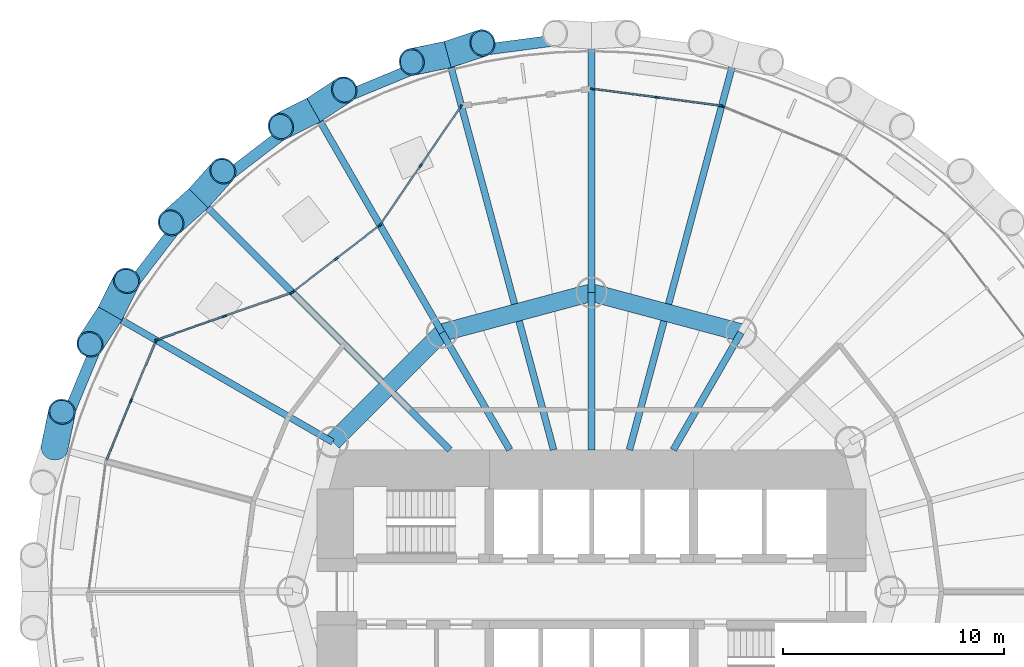
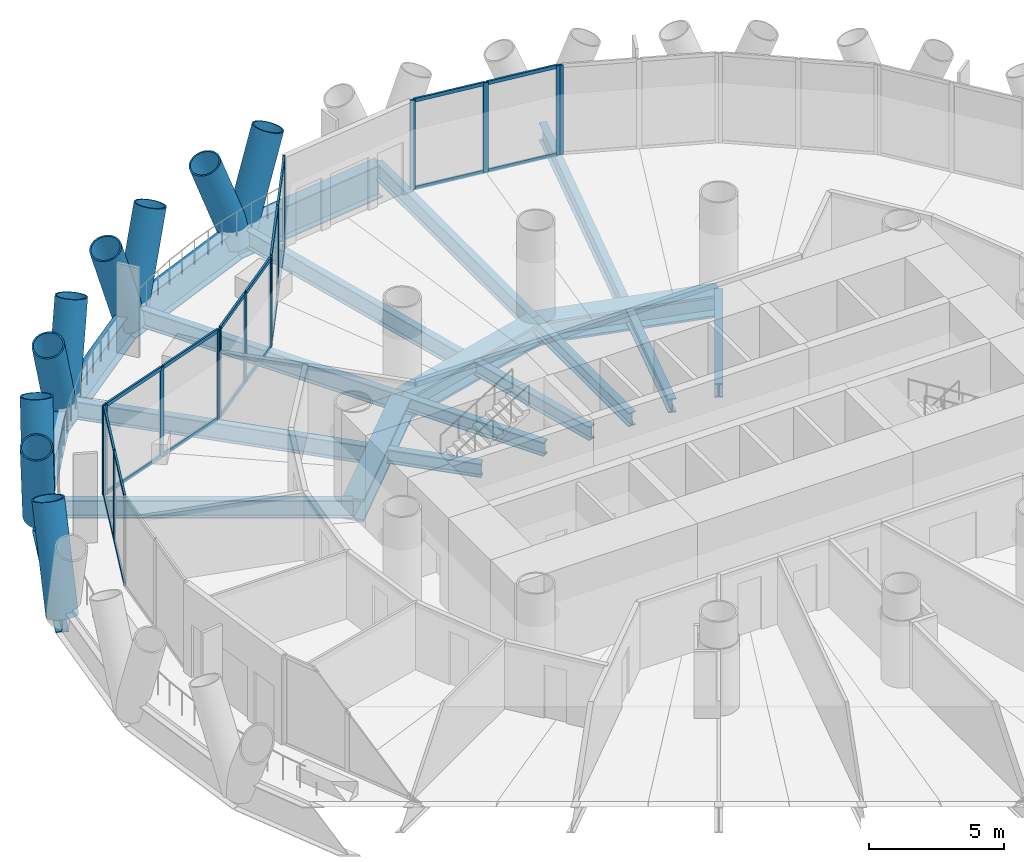
# One storey, part 5 of 14: 44 members, 20 beams, 6 elements without a shape of their own.
"""IFC4 building model written with IfcOpenShell, lengths in metres."""

from ifc_helpers import new_model, si_unit, direction, frame, origin, origin_2d, place, context, subcontext, project, spatial, rectangle, hollow_circle, i_section, extrude, material, material_profile, profile_set, type_object, element, aggregate, save


model = new_model("IFC4")

# Units and contexts
model_context = context("Model", 3, precision=1e-05, world=origin(), true_north=direction((0.0, 1.0)))
body_context = subcontext(model_context, "Body", "Model", "MODEL_VIEW")
ifc_project = project(units=[si_unit("LENGTHUNIT", "METRE"), si_unit("AREAUNIT", "SQUARE_METRE"), si_unit("VOLUMEUNIT", "CUBIC_METRE"), si_unit("PLANEANGLEUNIT", "RADIAN"), si_unit("MASSUNIT", "GRAM", prefix="KILO")], contexts=[model_context])

# Site, building, storey
site_placement = place(None, origin())
site = spatial("IfcSite", under=ifc_project, at=site_placement, CompositionType="ELEMENT")
building_placement = place(site_placement, origin())
building = spatial("IfcBuilding", under=site, at=building_placement, Name="Qaws Media Tower", CompositionType="ELEMENT")
storey_placement = place(building_placement, frame((0.0, 0.0, 59.60009765625)))
storey = spatial("IfcBuildingStorey", under=building, at=storey_placement, Name="L12", CompositionType="ELEMENT", Elevation=59.60009765625)

# Curtain wall, member
ifc_material_1 = material(Name="Aluminium and clear glass", Category="aluminium")
curtain_wall_type_1 = type_object("IfcCurtainWallType", Name="Unitised curtain wall CW-A", PredefinedType="NOTDEFINED", material=ifc_material_1)
curtain_wall_1_placement = place(storey_placement, origin())
curtain_wall_1 = element("IfcCurtainWall", 1, at=curtain_wall_1_placement, inside=storey, type_object=curtain_wall_type_1, Name="CWA curtain wall L12-05", PredefinedType="NOTDEFINED")
ifc_material_2 = material(Name="Aluminium mullion", Category="aluminium")
ifc_material_profile_1 = material_profile(ifc_material_2, rectangle(XDim=0.080078125, YDim=0.199951171875, at=origin_2d()), Name="80x200")
ifc_profile_set_1 = profile_set([ifc_material_profile_1], Name="Aluminium mullion")
member_type_1 = type_object("IfcMemberType", Name="Curtain wall mullion 80x200", PredefinedType="MULLION", material=ifc_profile_set_1)
member_1_placement = place(storey_placement, frame((65.912109375, 71.9111328125, 0.0), z_axis=(0.0, 0.0, 1.0), x_axis=(-0.382683327941, -0.923879575765, 0.0)))
member_1 = element("IfcMember", 2, at=member_1_placement, type_object=member_type_1, Name="CWA mullion 3", PredefinedType="MULLION", context=body_context, shape_type="SweptSolid", body=[
    extrude(rectangle(XDim=0.080078125, YDim=0.199951171875, at=origin_2d()), origin(), (0.0, 0.0, 1.0), 4.039794921875),
])
aggregate(curtain_wall_1, [member_1])

# Curtain wall, members
curtain_wall_2_placement = place(storey_placement, origin())
curtain_wall_2 = element("IfcCurtainWall", 3, at=curtain_wall_2_placement, inside=storey, type_object=curtain_wall_type_1, Name="CWA curtain wall L12-06", PredefinedType="NOTDEFINED")
member_2_placement = place(storey_placement, frame((65.83544921875, 71.931640625, 0.0), z_axis=(0.0, 0.0, 1.0), x_axis=(-0.130526241882, -0.991444854836, 0.0)))
member_2 = element("IfcMember", 4, at=member_2_placement, type_object=member_type_1, Name="CWA mullion 1", PredefinedType="MULLION", context=body_context, shape_type="SweptSolid", body=[
    extrude(rectangle(XDim=0.080078125, YDim=0.199951171875, at=origin_2d()), origin(), (0.0, 0.0, 1.0), 4.039794921875),
])
member_3_placement = place(storey_placement, frame((62.9375, 72.313232421875, 0.0), z_axis=(0.0, 0.0, 1.0), x_axis=(-0.130526241882, -0.991444854836, 0.0)))
member_3 = element("IfcMember", 5, at=member_3_placement, type_object=member_type_1, Name="CWA mullion 2", PredefinedType="MULLION", context=body_context, shape_type="SweptSolid", body=[
    extrude(rectangle(XDim=0.080078125, YDim=0.199951171875, at=origin_2d()), origin(), (0.0, 0.0, 1.0), 4.039794921875),
])
member_4_placement = place(storey_placement, frame((60.03955078125, 72.69482421875, 0.0), z_axis=(0.0, 0.0, 1.0), x_axis=(-0.130526241882, -0.991444854836, 0.0)))
member_4 = element("IfcMember", 6, at=member_4_placement, type_object=member_type_1, Name="CWA mullion 3", PredefinedType="MULLION", context=body_context, shape_type="SweptSolid", body=[
    extrude(rectangle(XDim=0.080078125, YDim=0.199951171875, at=origin_2d()), origin(), (0.0, 0.0, 1.0), 4.039794921875),
])

ifc_material_3 = material(Name="Aluminium and clear glass", Category="aluminium")
curtain_wall_type_2 = type_object("IfcCurtainWallType", Name="Loggia curtain wall CW-G", PredefinedType="NOTDEFINED", material=ifc_material_3)
curtain_wall_3_placement = place(storey_placement, origin())
curtain_wall_3 = element("IfcCurtainWall", 7, at=curtain_wall_3_placement, inside=storey, type_object=curtain_wall_type_2, Name="CWG curtain wall L12-08", PredefinedType="NOTDEFINED")
member_5_placement = place(storey_placement, frame((54.102294921875, 71.8935546875, 0.0), z_axis=(0.0, 0.0, 1.0), x_axis=(0.826018597075, -0.563642863244, 0.0)))
member_5 = element("IfcMember", 8, at=member_5_placement, type_object=member_type_1, Name="CWG mullion 1", PredefinedType="MULLION", context=body_context, shape_type="SweptSolid", body=[
    extrude(rectangle(XDim=0.080078125, YDim=0.199951171875, at=origin_2d()), origin(), (0.0, 0.0, 1.0), 4.039794921875),
])
member_6_placement = place(storey_placement, frame((52.287353515625, 69.23388671875, 0.0), z_axis=(0.0, 0.0, 1.0), x_axis=(0.826018597075, -0.563642863244, 0.0)))
member_6 = element("IfcMember", 9, at=member_6_placement, type_object=member_type_1, Name="CWG mullion 2", PredefinedType="MULLION", context=body_context, shape_type="SweptSolid", body=[
    extrude(rectangle(XDim=0.080078125, YDim=0.199951171875, at=origin_2d()), origin(), (0.0, 0.0, 1.0), 4.039794921875),
])
member_7_placement = place(storey_placement, frame((50.47265625, 66.57421875, 0.0), z_axis=(0.0, 0.0, 1.0), x_axis=(0.826018597075, -0.563642863244, 0.0)))
member_7 = element("IfcMember", 10, at=member_7_placement, type_object=member_type_1, Name="CWG mullion 3", PredefinedType="MULLION", context=body_context, shape_type="SweptSolid", body=[
    extrude(rectangle(XDim=0.080078125, YDim=0.199951171875, at=origin_2d()), origin(), (0.0, 0.0, 1.0), 4.039794921875),
])

curtain_wall_4_placement = place(storey_placement, origin())
curtain_wall_4 = element("IfcCurtainWall", 11, at=curtain_wall_4_placement, inside=storey, type_object=curtain_wall_type_2, Name="CWG curtain wall L12-09", PredefinedType="NOTDEFINED")
member_8_placement = place(storey_placement, frame((50.418212890625, 66.516845703125, 0.0), z_axis=(0.0, 0.0, 1.0), x_axis=(0.608761295278, -0.793353442906, 0.0)))
member_8 = element("IfcMember", 12, at=member_8_placement, type_object=member_type_1, Name="CWG mullion 1", PredefinedType="MULLION", context=body_context, shape_type="SweptSolid", body=[
    extrude(rectangle(XDim=0.080078125, YDim=0.199951171875, at=origin_2d()), origin(), (0.0, 0.0, 1.0), 4.039794921875),
])
member_9_placement = place(storey_placement, frame((48.47216796875, 65.0234375, 0.0), z_axis=(0.0, 0.0, 1.0), x_axis=(0.608761295278, -0.793353442906, 0.0)))
member_9 = element("IfcMember", 13, at=member_9_placement, type_object=member_type_1, Name="CWG mullion 2", PredefinedType="MULLION", context=body_context, shape_type="SweptSolid", body=[
    extrude(rectangle(XDim=0.080078125, YDim=0.199951171875, at=origin_2d()), origin(), (0.0, 0.0, 1.0), 4.039794921875),
])
member_10_placement = place(storey_placement, frame((46.52587890625, 63.530029296875, 0.0), z_axis=(0.0, 0.0, 1.0), x_axis=(0.608761295278, -0.793353442906, 0.0)))
member_10 = element("IfcMember", 14, at=member_10_placement, type_object=member_type_1, Name="CWG mullion 3", PredefinedType="MULLION", context=body_context, shape_type="SweptSolid", body=[
    extrude(rectangle(XDim=0.080078125, YDim=0.199951171875, at=origin_2d()), origin(), (0.0, 0.0, 1.0), 4.039794921875),
])

curtain_wall_5_placement = place(storey_placement, origin())
curtain_wall_5 = element("IfcCurtainWall", 15, at=curtain_wall_5_placement, inside=storey, type_object=curtain_wall_type_2, Name="CWG curtain wall L12-10", PredefinedType="NOTDEFINED")
member_11_placement = place(storey_placement, frame((46.45654296875, 63.492431640625, 0.0), z_axis=(0.0, 0.0, 1.0), x_axis=(0.330647883973, -0.94375419301, 0.0)))
member_11 = element("IfcMember", 16, at=member_11_placement, type_object=member_type_1, Name="CWG mullion 1", PredefinedType="MULLION", context=body_context, shape_type="SweptSolid", body=[
    extrude(rectangle(XDim=0.080078125, YDim=0.199951171875, at=origin_2d()), origin(), (0.0, 0.0, 1.0), 4.039794921875),
])
member_12_placement = place(storey_placement, frame((43.417724609375, 62.427978515625, 0.0), z_axis=(0.0, 0.0, 1.0), x_axis=(0.330647883973, -0.94375419301, 0.0)))
member_12 = element("IfcMember", 17, at=member_12_placement, type_object=member_type_1, Name="CWG mullion 2", PredefinedType="MULLION", context=body_context, shape_type="SweptSolid", body=[
    extrude(rectangle(XDim=0.080078125, YDim=0.199951171875, at=origin_2d()), origin(), (0.0, 0.0, 1.0), 4.039794921875),
])
member_13_placement = place(storey_placement, frame((40.37890625, 61.36328125, 0.0), z_axis=(0.0, 0.0, 1.0), x_axis=(0.330647883973, -0.94375419301, 0.0)))
member_13 = element("IfcMember", 18, at=member_13_placement, type_object=member_type_1, Name="CWG mullion 3", PredefinedType="MULLION", context=body_context, shape_type="SweptSolid", body=[
    extrude(rectangle(XDim=0.080078125, YDim=0.199951171875, at=origin_2d()), origin(), (0.0, 0.0, 1.0), 4.039794921875),
])

curtain_wall_6_placement = place(storey_placement, origin())
curtain_wall_6 = element("IfcCurtainWall", 19, at=curtain_wall_6_placement, inside=storey, type_object=curtain_wall_type_1, Name="CWA curtain wall L12-11", PredefinedType="NOTDEFINED")
member_14_placement = place(storey_placement, frame((40.325927734375, 61.31298828125, 0.0), z_axis=(0.0, 0.0, 1.0), x_axis=(0.923879575765, -0.382683327941, 0.0)))
member_14 = element("IfcMember", 20, at=member_14_placement, type_object=member_type_1, Name="CWA mullion 1", PredefinedType="MULLION", context=body_context, shape_type="SweptSolid", body=[
    extrude(rectangle(XDim=0.080078125, YDim=0.199951171875, at=origin_2d()), origin(), (0.0, 0.0, 1.0), 4.039794921875),
])
member_15_placement = place(storey_placement, frame((39.207275390625, 58.612548828125, 0.0), z_axis=(0.0, 0.0, 1.0), x_axis=(0.923879575765, -0.382683327941, 0.0)))
member_15 = element("IfcMember", 21, at=member_15_placement, type_object=member_type_1, Name="CWA mullion 2", PredefinedType="MULLION", context=body_context, shape_type="SweptSolid", body=[
    extrude(rectangle(XDim=0.080078125, YDim=0.199951171875, at=origin_2d()), origin(), (0.0, 0.0, 1.0), 4.039794921875),
])

# Member
ifc_material_4 = material(Name="Aluminium transom", Category="aluminium")
ifc_material_profile_2 = material_profile(ifc_material_4, rectangle(XDim=0.080078125, YDim=0.159912109375, at=origin_2d()), Name="80x160")
ifc_profile_set_2 = profile_set([ifc_material_profile_2], Name="Aluminium transom")
member_type_2 = type_object("IfcMemberType", Name="Curtain wall transom 80x160", PredefinedType="USERDEFINED", material=ifc_profile_set_2)
member_16_placement = place(storey_placement, frame((65.7958984375, 71.93701171875, 0.039794921875), z_axis=(-0.991444062143, 0.130532262837, 0.0), x_axis=(-0.130532262837, -0.991444062143, 0.0)))
member_16 = element("IfcMember", 22, at=member_16_placement, type_object=member_type_2, Name="CWA transom 1.1", ObjectType="TRANSOM", PredefinedType="USERDEFINED", context=body_context, shape_type="SweptSolid", body=[
    extrude(rectangle(XDim=0.080078125, YDim=0.159912109375, at=origin_2d()), origin(), (0.0, 0.0, 1.0), 2.843017578125),
])

member_17_placement = place(storey_placement, frame((65.7958984375, 71.93701171875, 4.0), z_axis=(-0.991444062143, 0.130532262837, 0.0), x_axis=(-0.130532262837, -0.991444062143, 0.0)))
member_17 = element("IfcMember", 23, at=member_17_placement, type_object=member_type_2, Name="CWA transom 1.2", ObjectType="TRANSOM", PredefinedType="USERDEFINED", context=body_context, shape_type="SweptSolid", body=[
    extrude(rectangle(XDim=0.080078125, YDim=0.159912109375, at=origin_2d()), origin(), (0.0, 0.0, 1.0), 2.843017578125),
])

member_18_placement = place(storey_placement, frame((62.89794921875, 72.318359375, 0.039794921875), z_axis=(-0.991444062143, 0.130532262837, 0.0), x_axis=(-0.130532262837, -0.991444062143, 0.0)))
member_18 = element("IfcMember", 24, at=member_18_placement, type_object=member_type_2, Name="CWA transom 2.1", ObjectType="TRANSOM", PredefinedType="USERDEFINED", context=body_context, shape_type="SweptSolid", body=[
    extrude(rectangle(XDim=0.080078125, YDim=0.159912109375, at=origin_2d()), origin(), (0.0, 0.0, 1.0), 2.843017578125),
])

member_19_placement = place(storey_placement, frame((62.89794921875, 72.318359375, 4.0), z_axis=(-0.991444062143, 0.130532262837, 0.0), x_axis=(-0.130532262837, -0.991444062143, 0.0)))
member_19 = element("IfcMember", 25, at=member_19_placement, type_object=member_type_2, Name="CWA transom 2.2", ObjectType="TRANSOM", PredefinedType="USERDEFINED", context=body_context, shape_type="SweptSolid", body=[
    extrude(rectangle(XDim=0.080078125, YDim=0.159912109375, at=origin_2d()), origin(), (0.0, 0.0, 1.0), 2.843017578125),
])

aggregate(curtain_wall_2, [member_2, member_3, member_4, member_16, member_17, member_18, member_19])

member_20_placement = place(storey_placement, frame((54.079833984375, 71.8603515625, 0.039794921875), z_axis=(-0.563657678974, -0.826008487204, 0.0), x_axis=(0.826008487204, -0.563657678974, 0.0)))
member_20 = element("IfcMember", 26, at=member_20_placement, type_object=member_type_2, Name="CWG transom 1.1", ObjectType="TRANSOM", PredefinedType="USERDEFINED", context=body_context, shape_type="SweptSolid", body=[
    extrude(rectangle(XDim=0.080078125, YDim=0.159912109375, at=origin_2d()), origin(), (0.0, 0.0, 1.0), 3.139892578125),
])

member_21_placement = place(storey_placement, frame((54.079833984375, 71.8603515625, 4.0), z_axis=(-0.563657678974, -0.826008487204, 0.0), x_axis=(0.826008487204, -0.563657678974, 0.0)))
member_21 = element("IfcMember", 27, at=member_21_placement, type_object=member_type_2, Name="CWG transom 1.2", ObjectType="TRANSOM", PredefinedType="USERDEFINED", context=body_context, shape_type="SweptSolid", body=[
    extrude(rectangle(XDim=0.080078125, YDim=0.159912109375, at=origin_2d()), origin(), (0.0, 0.0, 1.0), 3.139892578125),
])

member_22_placement = place(storey_placement, frame((52.264892578125, 69.20068359375, 0.039794921875), z_axis=(-0.563657678974, -0.826008487204, 0.0), x_axis=(0.826008487204, -0.563657678974, 0.0)))
member_22 = element("IfcMember", 28, at=member_22_placement, type_object=member_type_2, Name="CWG transom 2.1", ObjectType="TRANSOM", PredefinedType="USERDEFINED", context=body_context, shape_type="SweptSolid", body=[
    extrude(rectangle(XDim=0.080078125, YDim=0.159912109375, at=origin_2d()), origin(), (0.0, 0.0, 1.0), 3.139892578125),
])

member_23_placement = place(storey_placement, frame((52.264892578125, 69.20068359375, 4.0), z_axis=(-0.563657678974, -0.826008487204, 0.0), x_axis=(0.826008487204, -0.563657678974, 0.0)))
member_23 = element("IfcMember", 29, at=member_23_placement, type_object=member_type_2, Name="CWG transom 2.2", ObjectType="TRANSOM", PredefinedType="USERDEFINED", context=body_context, shape_type="SweptSolid", body=[
    extrude(rectangle(XDim=0.080078125, YDim=0.159912109375, at=origin_2d()), origin(), (0.0, 0.0, 1.0), 3.139892578125),
])

aggregate(curtain_wall_3, [member_5, member_6, member_7, member_20, member_21, member_22, member_23])

member_24_placement = place(storey_placement, frame((50.386474609375, 66.492431640625, 0.039794921875), z_axis=(-0.793346304399, -0.608770598253, 0.0), x_axis=(0.608770598253, -0.793346304399, 0.0)))
member_24 = element("IfcMember", 30, at=member_24_placement, type_object=member_type_2, Name="CWG transom 1.1", ObjectType="TRANSOM", PredefinedType="USERDEFINED", context=body_context, shape_type="SweptSolid", body=[
    extrude(rectangle(XDim=0.080078125, YDim=0.159912109375, at=origin_2d()), origin(), (0.0, 0.0, 1.0), 2.373046875),
])

member_25_placement = place(storey_placement, frame((50.386474609375, 66.492431640625, 4.0), z_axis=(-0.793346304399, -0.608770598253, 0.0), x_axis=(0.608770598253, -0.793346304399, 0.0)))
member_25 = element("IfcMember", 31, at=member_25_placement, type_object=member_type_2, Name="CWG transom 1.2", ObjectType="TRANSOM", PredefinedType="USERDEFINED", context=body_context, shape_type="SweptSolid", body=[
    extrude(rectangle(XDim=0.080078125, YDim=0.159912109375, at=origin_2d()), origin(), (0.0, 0.0, 1.0), 2.373046875),
])

member_26_placement = place(storey_placement, frame((48.4404296875, 64.9990234375, 0.039794921875), z_axis=(-0.793384429084, -0.608720911163, 0.0), x_axis=(0.608720911163, -0.793384429084, 0.0)))
member_26 = element("IfcMember", 32, at=member_26_placement, type_object=member_type_2, Name="CWG transom 2.1", ObjectType="TRANSOM", PredefinedType="USERDEFINED", context=body_context, shape_type="SweptSolid", body=[
    extrude(rectangle(XDim=0.080078125, YDim=0.159912109375, at=origin_2d()), origin(), (0.0, 0.0, 1.0), 2.373046875),
])

member_27_placement = place(storey_placement, frame((48.4404296875, 64.9990234375, 4.0), z_axis=(-0.793384429084, -0.608720911163, 0.0), x_axis=(0.608720911163, -0.793384429084, 0.0)))
member_27 = element("IfcMember", 33, at=member_27_placement, type_object=member_type_2, Name="CWG transom 2.2", ObjectType="TRANSOM", PredefinedType="USERDEFINED", context=body_context, shape_type="SweptSolid", body=[
    extrude(rectangle(XDim=0.080078125, YDim=0.159912109375, at=origin_2d()), origin(), (0.0, 0.0, 1.0), 2.373046875),
])

aggregate(curtain_wall_4, [member_8, member_9, member_10, member_24, member_25, member_26, member_27])

member_28_placement = place(storey_placement, frame((46.418701171875, 63.479248046875, 0.039794921875), z_axis=(-0.943760120209, -0.330630965735, 0.0), x_axis=(0.330630965735, -0.943760120209, 0.0)))
member_28 = element("IfcMember", 34, at=member_28_placement, type_object=member_type_2, Name="CWG transom 1.1", ObjectType="TRANSOM", PredefinedType="USERDEFINED", context=body_context, shape_type="SweptSolid", body=[
    extrude(rectangle(XDim=0.080078125, YDim=0.159912109375, at=origin_2d()), origin(), (0.0, 0.0, 1.0), 3.1396484375),
])

member_29_placement = place(storey_placement, frame((46.418701171875, 63.479248046875, 4.0), z_axis=(-0.943760120209, -0.330630965735, 0.0), x_axis=(0.330630965735, -0.943760120209, 0.0)))
member_29 = element("IfcMember", 35, at=member_29_placement, type_object=member_type_2, Name="CWG transom 1.2", ObjectType="TRANSOM", PredefinedType="USERDEFINED", context=body_context, shape_type="SweptSolid", body=[
    extrude(rectangle(XDim=0.080078125, YDim=0.159912109375, at=origin_2d()), origin(), (0.0, 0.0, 1.0), 3.1396484375),
])

member_30_placement = place(storey_placement, frame((43.3798828125, 62.41455078125, 0.039794921875), z_axis=(-0.943760120209, -0.330630965735, 0.0), x_axis=(0.330630965735, -0.943760120209, 0.0)))
member_30 = element("IfcMember", 36, at=member_30_placement, type_object=member_type_2, Name="CWG transom 2.1", ObjectType="TRANSOM", PredefinedType="USERDEFINED", context=body_context, shape_type="SweptSolid", body=[
    extrude(rectangle(XDim=0.080078125, YDim=0.159912109375, at=origin_2d()), origin(), (0.0, 0.0, 1.0), 3.1396484375),
])

member_31_placement = place(storey_placement, frame((43.3798828125, 62.41455078125, 4.0), z_axis=(-0.943760120209, -0.330630965735, 0.0), x_axis=(0.330630965735, -0.943760120209, 0.0)))
member_31 = element("IfcMember", 37, at=member_31_placement, type_object=member_type_2, Name="CWG transom 2.2", ObjectType="TRANSOM", PredefinedType="USERDEFINED", context=body_context, shape_type="SweptSolid", body=[
    extrude(rectangle(XDim=0.080078125, YDim=0.159912109375, at=origin_2d()), origin(), (0.0, 0.0, 1.0), 3.1396484375),
])

aggregate(curtain_wall_5, [member_11, member_12, member_13, member_28, member_29, member_30, member_31])

member_32_placement = place(storey_placement, frame((40.310546875, 61.276123046875, 0.039794921875), z_axis=(-0.382675405483, -0.923882857314, 0.0), x_axis=(0.923882857314, -0.382675405483, 0.0)))
member_32 = element("IfcMember", 38, at=member_32_placement, type_object=member_type_2, Name="CWA transom 1.1", ObjectType="TRANSOM", PredefinedType="USERDEFINED", context=body_context, shape_type="SweptSolid", body=[
    extrude(rectangle(XDim=0.080078125, YDim=0.159912109375, at=origin_2d()), origin(), (0.0, 0.0, 1.0), 2.8427734375),
])

member_33_placement = place(storey_placement, frame((40.310546875, 61.276123046875, 4.0), z_axis=(-0.382675405483, -0.923882857314, 0.0), x_axis=(0.923882857314, -0.382675405483, 0.0)))
member_33 = element("IfcMember", 39, at=member_33_placement, type_object=member_type_2, Name="CWA transom 1.2", ObjectType="TRANSOM", PredefinedType="USERDEFINED", context=body_context, shape_type="SweptSolid", body=[
    extrude(rectangle(XDim=0.080078125, YDim=0.159912109375, at=origin_2d()), origin(), (0.0, 0.0, 1.0), 2.8427734375),
])

member_34_placement = place(storey_placement, frame((39.192138671875, 58.57568359375, 0.039794921875), z_axis=(-0.382748704437, -0.923852493232, 0.0), x_axis=(0.923852493232, -0.382748704437, 0.0)))
member_34 = element("IfcMember", 40, at=member_34_placement, type_object=member_type_2, Name="CWA transom 2.1", ObjectType="TRANSOM", PredefinedType="USERDEFINED", context=body_context, shape_type="SweptSolid", body=[
    extrude(rectangle(XDim=0.080078125, YDim=0.159912109375, at=origin_2d()), origin(), (0.0, 0.0, 1.0), 2.843017578125),
])

member_35_placement = place(storey_placement, frame((39.192138671875, 58.57568359375, 4.0), z_axis=(-0.382748704437, -0.923852493232, 0.0), x_axis=(0.923852493232, -0.382748704437, 0.0)))
member_35 = element("IfcMember", 41, at=member_35_placement, type_object=member_type_2, Name="CWA transom 2.2", ObjectType="TRANSOM", PredefinedType="USERDEFINED", context=body_context, shape_type="SweptSolid", body=[
    extrude(rectangle(XDim=0.080078125, YDim=0.159912109375, at=origin_2d()), origin(), (0.0, 0.0, 1.0), 2.843017578125),
])

aggregate(curtain_wall_6, [member_14, member_15, member_32, member_33, member_34, member_35])

# Members
ifc_material_5 = material(Name="Steel S460", Category="steel")
ifc_material_profile_3 = material_profile(ifc_material_5, hollow_circle(Radius=0.609619140625, WallThickness=0.06005859375, at=origin_2d()), Name="CHS 1219x60")
ifc_profile_set_3 = profile_set([ifc_material_profile_3], Name="Steel S460")
member_type_3 = type_object("IfcMemberType", Name="Diagrid member CHS 1219x60", PredefinedType="USERDEFINED", material=ifc_profile_set_3)
for number, where, z_axis, x_axis, name in (
    (42, (53.503662109375, 74.24462890625, -0.91015625), (-0.358907594916, -0.074150438913, 0.930423049328), (0.202327438481, -0.979317929805, 0.0), "DG1 diagrid L12 A08"),
    (43, (53.503662109375, 74.24462890625, -0.91015625), (0.347876483521, 0.115255719276, 0.930428971705), (-0.314500514836, 0.949257302404, 0.0), "DG1 diagrid L12 B08"),
    (44, (47.449951171875, 71.7373046875, -0.91015625), (-0.327435652555, -0.164529113821, 0.930438640718), (0.448983858179, -0.893539867658, 0.0), "DG1 diagrid L12 A09"),
    (45, (47.449951171875, 71.7373046875, -0.91015625), (0.306230937512, 0.201305466164, 0.930429321444), (-0.549307457757, 0.835620318597, 0.0), "DG1 diagrid L12 B09"),
    (46, (42.251708984375, 67.748291015625, -0.91015625), (-0.273726789303, -0.243655243195, 0.930433107365), (0.664885834354, -0.746944996152, 0.0), "DG1 diagrid L12 A10"),
    (47, (42.251708984375, 67.748291015625, -0.91015625), (0.243655243195, 0.273726789303, 0.930433107365), (-0.746944996152, 0.664885834354, 0.0), "DG1 diagrid L12 B10"),
    (48, (38.2626953125, 62.550048828125, -0.91015625), (-0.201305466164, -0.306230937512, 0.930429321444), (0.835620318597, -0.549307457757, 0.0), "DG1 diagrid L12 A11"),
    (49, (38.2626953125, 62.550048828125, -0.91015625), (0.164529113821, 0.327435652555, 0.930438640718), (-0.893539867658, 0.448983858179, 0.0), "DG1 diagrid L12 B11"),
    (50, (35.75537109375, 56.496337890625, -0.91015625), (0.074150438913, 0.358907594916, 0.930423049328), (-0.979317929805, 0.202327438481, 0.0), "DG1 diagrid L12 B12"),
):
    element("IfcMember", number, at=place(storey_placement, frame(where, z_axis=z_axis, x_axis=x_axis)), inside=storey, type_object=member_type_3, Name=name, ObjectType="DIAGRID", PredefinedType="USERDEFINED", context=body_context, shape_type="SweptSolid", body=[
        extrude(hollow_circle(Radius=0.609619140625, WallThickness=0.06005859375, at=origin_2d()), origin(), (0.0, 0.0, 1.0), 4.513916015625),
    ])

# Beams
ifc_material_6 = material(Name="Steel S460", Category="steel")
ifc_material_profile_4 = material_profile(ifc_material_6, i_section(OverallWidth=0.5, OverallDepth=1.5, WebThickness=0.02001953125, FlangeThickness=0.0400390625, at=origin_2d()), Name="PG 1500x500")
ifc_profile_set_4 = profile_set([ifc_material_profile_4], Name="Steel S460")
beam_type_1 = type_object("IfcBeamType", Name="Edge ring beam PG 1500x500", PredefinedType="BEAM", material=ifc_profile_set_4)
for number, where, z_axis, x_axis, name in (
    (51, (60.0, 75.10009765625, -0.91015625), (-0.991440720481, -0.130557641571, 0.0), (0.130557641571, -0.991440720481, 0.0), "RB4 edge ring beam L12-07"),
    (52, (53.503662109375, 74.24462890625, -0.91015625), (-0.923890590997, -0.382656733729, 0.0), (0.382656733729, -0.923890590997, 0.0), "RB4 edge ring beam L12-08"),
    (53, (47.449951171875, 71.7373046875, -0.91015625), (-0.793334017296, -0.608786610398, 0.0), (0.608786610398, -0.793334017296, 0.0), "RB4 edge ring beam L12-09"),
    (54, (42.251708984375, 67.748291015625, -0.91015625), (-0.608786610398, -0.793334017296, 0.0), (0.793334017296, -0.608786610398, 0.0), "RB4 edge ring beam L12-10"),
    (55, (38.2626953125, 62.550048828125, -0.91015625), (-0.382656733729, -0.923890590997, 0.0), (0.923890590997, -0.382656733729, 0.0), "RB4 edge ring beam L12-11"),
):
    element("IfcBeam", number, at=place(storey_placement, frame(where, z_axis=z_axis, x_axis=x_axis)), inside=storey, type_object=beam_type_1, Name=name, PredefinedType="BEAM", context=body_context, shape_type="SweptSolid", body=[
        extrude(i_section(OverallWidth=0.5, OverallDepth=1.5, WebThickness=0.02001953125, FlangeThickness=0.0400390625, at=origin_2d()), origin(), (0.0, 0.0, 1.0), 6.552490234375),
    ])
ifc_material_7 = material(Name="Steel S460", Category="steel")
ifc_material_profile_5 = material_profile(ifc_material_7, i_section(OverallWidth=0.800048828125, OverallDepth=1.0, WebThickness=0.0400390625, FlangeThickness=0.10009765625, at=origin_2d()), Name="PG 1000x800")
ifc_profile_set_5 = profile_set([ifc_material_profile_5], Name="Steel S460")
beam_type_2 = type_object("IfcBeamType", Name="Inner ring girder PG 1000x800", PredefinedType="BEAM", material=ifc_profile_set_5)
for number, where, z_axis, x_axis, name in (
    (56, (66.75, 61.69140625, -0.66015625), (-0.965928090778, 0.258810593767, 0.0), (-0.258810593767, -0.965928090778, 0.0), "B3 inner ring beam L12 I03-I04"),
    (57, (60.0, 63.5, -0.66015625), (-0.965928090778, -0.258810593767, 0.0), (0.258810593767, -0.965928090778, 0.0), "B3 inner ring beam L12 I04-I05"),
):
    element("IfcBeam", number, at=place(storey_placement, frame(where, z_axis=z_axis, x_axis=x_axis)), inside=storey, type_object=beam_type_2, Name=name, PredefinedType="BEAM", context=body_context, shape_type="SweptSolid", body=[
        extrude(i_section(OverallWidth=0.800048828125, OverallDepth=1.0, WebThickness=0.0400390625, FlangeThickness=0.10009765625, at=origin_2d()), origin(), (0.0, 0.0, 1.0), 6.988037109375),
    ])
beam_1_placement = place(storey_placement, frame((53.25, 61.69140625, -0.66015625), z_axis=(-0.707106781187, -0.707106781187, 0.0), x_axis=(0.707106781187, -0.707106781187, 0.0)))
element("IfcBeam", 58, at=beam_1_placement, inside=storey, type_object=beam_type_2, Name="B3 inner ring beam L12 I05-I06", PredefinedType="BEAM", context=body_context, shape_type="SweptSolid", body=[
    extrude(i_section(OverallWidth=0.800048828125, OverallDepth=1.0, WebThickness=0.0400390625, FlangeThickness=0.10009765625, at=origin_2d()), origin(), (0.0, 0.0, 1.0), 6.98828125),
])
ifc_material_8 = material(Name="Steel S355", Category="steel")
ifc_material_profile_6 = material_profile(ifc_material_8, i_section(OverallWidth=0.304931640625, OverallDepth=0.6201171875, WebThickness=0.02099609375, FlangeThickness=0.0400390625, FilletRadius=0.027099609375, at=origin_2d()), Name="HE 600 M")
ifc_profile_set_6 = profile_set([ifc_material_profile_6], Name="Steel S355")
beam_type_3 = type_object("IfcBeamType", Name="Radial beam HE 600 M, core side", PredefinedType="BEAM", material=ifc_profile_set_6)
beam_2_placement = place(storey_placement, frame((63.695068359375, 56.39990234375, -0.47021484375), z_axis=(0.49998532359, 0.866033877048, 0.0), x_axis=(-0.866033877048, 0.49998532359, 0.0)))
element("IfcBeam", 59, at=beam_2_placement, inside=storey, type_object=beam_type_3, Name="B2 radial beam L12 05", PredefinedType="BEAM", context=body_context, shape_type="SweptSolid", body=[
    extrude(i_section(OverallWidth=0.304931640625, OverallDepth=0.6201171875, WebThickness=0.02099609375, FlangeThickness=0.0400390625, FilletRadius=0.027099609375, at=origin_2d()), origin(), (0.0, 0.0, 1.0), 6.110107421875),
])
beam_3_placement = place(storey_placement, frame((61.71484375, 56.39990234375, -0.47021484375), z_axis=(0.258824687089, 0.965924314506, 0.0), x_axis=(-0.965924314506, 0.258824687089, 0.0)))
element("IfcBeam", 60, at=beam_3_placement, inside=storey, type_object=beam_type_3, Name="B2 radial beam L12 06", PredefinedType="BEAM", context=body_context, shape_type="SweptSolid", body=[
    extrude(i_section(OverallWidth=0.304931640625, OverallDepth=0.6201171875, WebThickness=0.02099609375, FlangeThickness=0.0400390625, FilletRadius=0.027099609375, at=origin_2d()), origin(), (0.0, 0.0, 1.0), 6.01416015625),
])
beam_4_placement = place(storey_placement, frame((60.0, 56.39990234375, -0.47021484375), z_axis=(0.0, 1.0, 0.0), x_axis=(-1.0, 0.0, 0.0)))
element("IfcBeam", 61, at=beam_4_placement, inside=storey, type_object=beam_type_3, Name="B2 radial beam L12 07", PredefinedType="BEAM", context=body_context, shape_type="SweptSolid", body=[
    extrude(i_section(OverallWidth=0.304931640625, OverallDepth=0.6201171875, WebThickness=0.02099609375, FlangeThickness=0.0400390625, FilletRadius=0.027099609375, at=origin_2d()), origin(), (0.0, 0.0, 1.0), 7.10009765625),
])
beam_5_placement = place(storey_placement, frame((58.28515625, 56.39990234375, -0.47021484375), z_axis=(-0.258824687089, 0.965924314506, 0.0), x_axis=(-0.965924314506, -0.258824687089, 0.0)))
element("IfcBeam", 62, at=beam_5_placement, inside=storey, type_object=beam_type_3, Name="B2 radial beam L12 08", PredefinedType="BEAM", context=body_context, shape_type="SweptSolid", body=[
    extrude(i_section(OverallWidth=0.304931640625, OverallDepth=0.6201171875, WebThickness=0.02099609375, FlangeThickness=0.0400390625, FilletRadius=0.027099609375, at=origin_2d()), origin(), (0.0, 0.0, 1.0), 6.01416015625),
])
beam_6_placement = place(storey_placement, frame((56.304931640625, 56.39990234375, -0.47021484375), z_axis=(-0.49998532359, 0.866033877048, 0.0), x_axis=(-0.866033877048, -0.49998532359, 0.0)))
element("IfcBeam", 63, at=beam_6_placement, inside=storey, type_object=beam_type_3, Name="B2 radial beam L12 09", PredefinedType="BEAM", context=body_context, shape_type="SweptSolid", body=[
    extrude(i_section(OverallWidth=0.304931640625, OverallDepth=0.6201171875, WebThickness=0.02099609375, FlangeThickness=0.0400390625, FilletRadius=0.027099609375, at=origin_2d()), origin(), (0.0, 0.0, 1.0), 6.110107421875),
])
beam_7_placement = place(storey_placement, frame((53.60009765625, 56.39990234375, -0.47021484375), z_axis=(-0.707106781187, 0.707106781187, 0.0), x_axis=(-0.707106781187, -0.707106781187, 0.0)))
element("IfcBeam", 64, at=beam_7_placement, inside=storey, type_object=beam_type_3, Name="B2 radial beam L12 10", PredefinedType="BEAM", context=body_context, shape_type="SweptSolid", body=[
    extrude(i_section(OverallWidth=0.304931640625, OverallDepth=0.6201171875, WebThickness=0.02099609375, FlangeThickness=0.0400390625, FilletRadius=0.027099609375, at=origin_2d()), origin(), (0.0, 0.0, 1.0), 3.589111328125),
])
ifc_material_9 = material(Name="Steel S355", Category="steel")
ifc_material_profile_7 = material_profile(ifc_material_9, i_section(OverallWidth=0.300048828125, OverallDepth=0.800048828125, WebThickness=0.017578125, FlangeThickness=0.032958984375, FilletRadius=0.030029296875, at=origin_2d()), Name="HE 800 B")
ifc_profile_set_7 = profile_set([ifc_material_profile_7], Name="Steel S355")
beam_type_4 = type_object("IfcBeamType", Name="Radial beam HE 800 B", PredefinedType="BEAM", material=ifc_profile_set_7)
beam_8_placement = place(storey_placement, frame((63.478515625, 62.98193359375, -0.56005859375), z_axis=(0.258818417123, 0.965925994556, 0.0), x_axis=(-0.965925994556, 0.258818417123, 0.0)))
element("IfcBeam", 65, at=beam_8_placement, inside=storey, type_object=beam_type_4, Name="B1 radial beam L12 06", PredefinedType="BEAM", context=body_context, shape_type="SweptSolid", body=[
    extrude(i_section(OverallWidth=0.300048828125, OverallDepth=0.800048828125, WebThickness=0.017578125, FlangeThickness=0.032958984375, FilletRadius=0.030029296875, at=origin_2d()), origin(), (0.0, 0.0, 1.0), 11.659912109375),
])
beam_9_placement = place(storey_placement, frame((60.0, 63.5, -0.56005859375), z_axis=(0.0, 1.0, 0.0), x_axis=(-1.0, 0.0, 0.0)))
element("IfcBeam", 66, at=beam_9_placement, inside=storey, type_object=beam_type_4, Name="B1 radial beam L12 07", PredefinedType="BEAM", context=body_context, shape_type="SweptSolid", body=[
    extrude(i_section(OverallWidth=0.300048828125, OverallDepth=0.800048828125, WebThickness=0.017578125, FlangeThickness=0.032958984375, FilletRadius=0.030029296875, at=origin_2d()), origin(), (0.0, 0.0, 1.0), 11.60009765625),
])
beam_10_placement = place(storey_placement, frame((56.521484375, 62.98193359375, -0.56005859375), z_axis=(-0.258818417123, 0.965925994556, 0.0), x_axis=(-0.965925994556, -0.258818417123, 0.0)))
element("IfcBeam", 67, at=beam_10_placement, inside=storey, type_object=beam_type_4, Name="B1 radial beam L12 08", PredefinedType="BEAM", context=body_context, shape_type="SweptSolid", body=[
    extrude(i_section(OverallWidth=0.300048828125, OverallDepth=0.800048828125, WebThickness=0.017578125, FlangeThickness=0.032958984375, FilletRadius=0.030029296875, at=origin_2d()), origin(), (0.0, 0.0, 1.0), 11.659912109375),
])
beam_11_placement = place(storey_placement, frame((53.25, 61.69140625, -0.56005859375), z_axis=(-0.500003016864, 0.86602366199, 0.0), x_axis=(-0.86602366199, -0.500003016864, 0.0)))
element("IfcBeam", 68, at=beam_11_placement, inside=storey, type_object=beam_type_4, Name="B1 radial beam L12 09", PredefinedType="BEAM", context=body_context, shape_type="SweptSolid", body=[
    extrude(i_section(OverallWidth=0.300048828125, OverallDepth=0.800048828125, WebThickness=0.017578125, FlangeThickness=0.032958984375, FilletRadius=0.030029296875, at=origin_2d()), origin(), (0.0, 0.0, 1.0), 11.60009765625),
])
beam_12_placement = place(storey_placement, frame((50.49658203125, 59.50341796875, -0.56005859375), z_axis=(-0.707106781187, 0.707106781187, 0.0), x_axis=(-0.707106781187, -0.707106781187, 0.0)))
element("IfcBeam", 69, at=beam_12_placement, inside=storey, type_object=beam_type_4, Name="B1 radial beam L12 10", PredefinedType="BEAM", context=body_context, shape_type="SweptSolid", body=[
    extrude(i_section(OverallWidth=0.300048828125, OverallDepth=0.800048828125, WebThickness=0.017578125, FlangeThickness=0.032958984375, FilletRadius=0.030029296875, at=origin_2d()), origin(), (0.0, 0.0, 1.0), 11.659912109375),
])
beam_13_placement = place(storey_placement, frame((48.30859375, 56.75, -0.56005859375), z_axis=(-0.86602366199, 0.500003016864, 0.0), x_axis=(-0.500003016864, -0.86602366199, 0.0)))
element("IfcBeam", 70, at=beam_13_placement, inside=storey, type_object=beam_type_4, Name="B1 radial beam L12 11", PredefinedType="BEAM", context=body_context, shape_type="SweptSolid", body=[
    extrude(i_section(OverallWidth=0.300048828125, OverallDepth=0.800048828125, WebThickness=0.017578125, FlangeThickness=0.032958984375, FilletRadius=0.030029296875, at=origin_2d()), origin(), (0.0, 0.0, 1.0), 11.60009765625),
])

save(model, "model.ifc")
